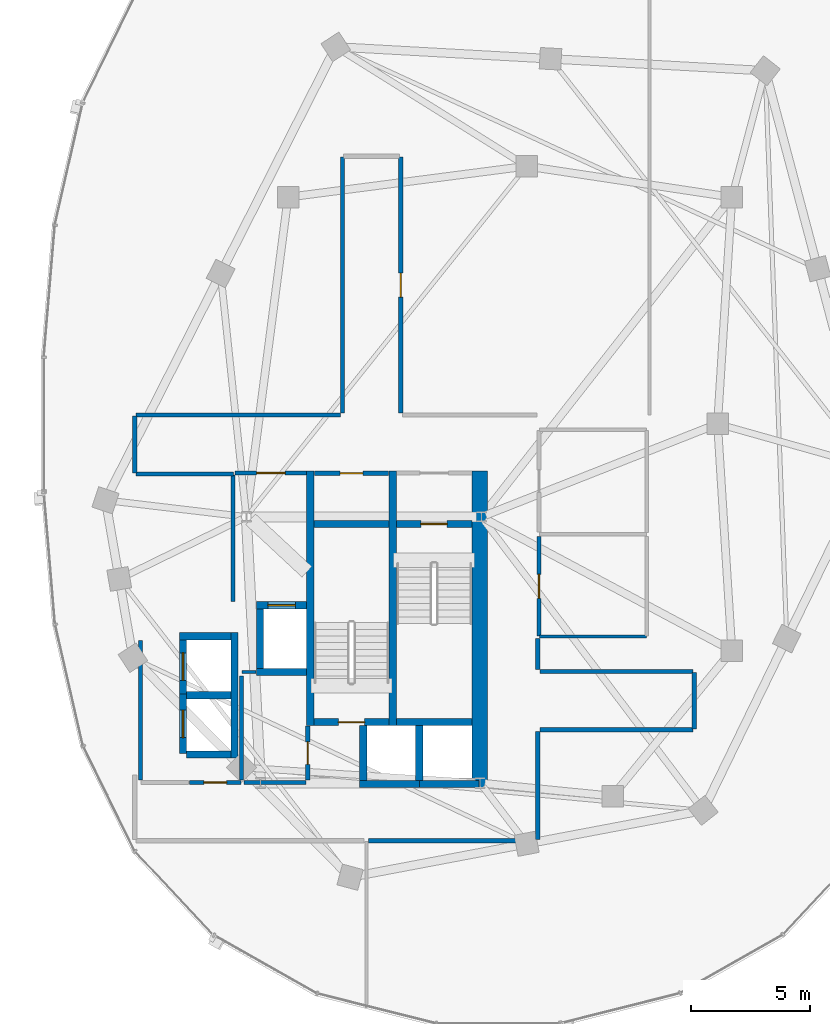
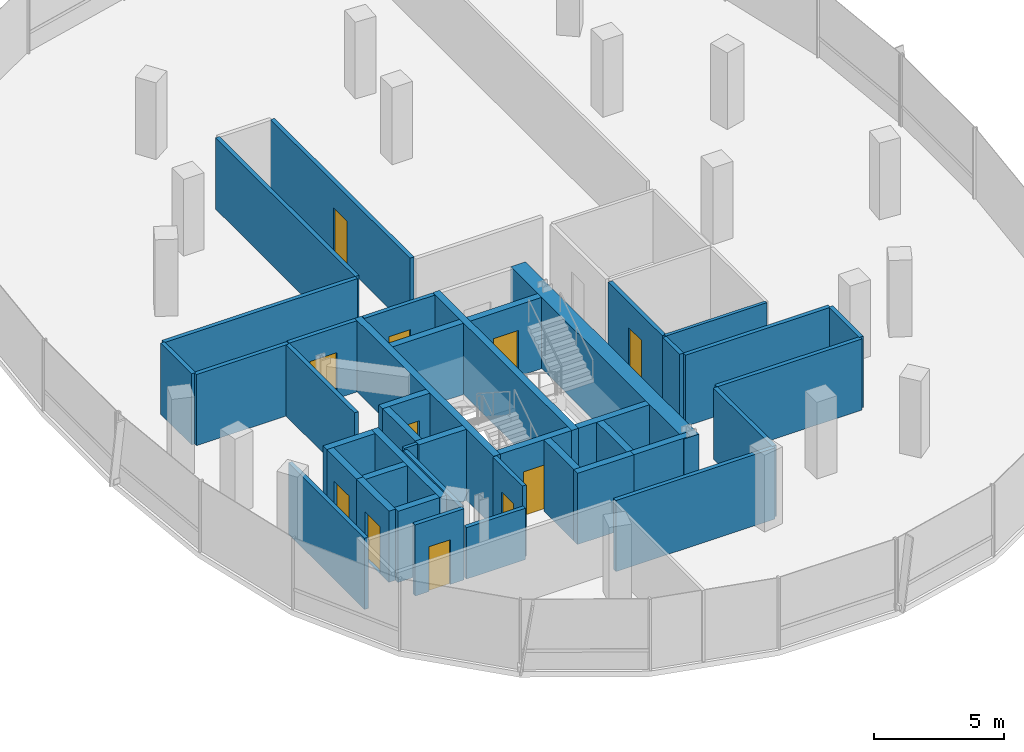
# One storey, part 16 of 24: 42 walls, 11 doors, 11 openings.
"""IFC4 building model written with IfcOpenShell, lengths in metres."""

import ifcopenshell
import ifcopenshell.guid

model = None  # the IFC model being written
_history = None  # IfcOwnerHistory: only IFC2X3 demands one
_inside = {}  # id of a spatial element -> (the spatial element, [elements in it])
_under = {}  # id of a project, library or spatial element -> (it, [spatial elements below it])
_declared = {}  # id of a project -> (the project, [libraries it declares])
_typed = {}  # id of a type object -> (the type object, [elements of that type])
_made_of = {}  # id of a material, layer set ... -> (it, [elements and type objects made of it])


def new_model(schema):
    """Start an empty IFC model of exactly this schema.

    Asked for "IFC4X3", IfcOpenShell would pick the latest addendum, in which some entities
    have other attributes; the version numbers below select the first issue.
    IFC2X3 requires an IfcOwnerHistory on every rooted entity: one is made here for all.
    """
    global model, _history
    if schema == "IFC4X3":
        model = ifcopenshell.file(schema_version=(4, 3, 0, 0))
    else:
        model = ifcopenshell.file(schema=schema)
    _inside.clear()
    _under.clear()
    _declared.clear()
    _typed.clear()
    _made_of.clear()
    _history = None
    if model.schema == "IFC2X3":
        org = make("IfcOrganization", Name="unknown")
        user = make(
            "IfcPersonAndOrganization",
            ThePerson=make("IfcPerson", FamilyName="unknown"),
            TheOrganization=org,
        )
        app = make(
            "IfcApplication",
            ApplicationDeveloper=org,
            Version="unknown",
            ApplicationFullName="unknown",
            ApplicationIdentifier="unknown",
        )
        _history = make(
            "IfcOwnerHistory",
            OwningUser=user,
            OwningApplication=app,
            ChangeAction="ADDED",
            CreationDate=0,
        )
    return model


def make(cls, **values):
    """One entity of the class cls with the attributes given. An attribute that is None is left unset."""
    return model.create_entity(
        cls, **{name: value for name, value in values.items() if value is not None}
    )


def rooted(cls, **values):
    """An entity with a GlobalId (a new one), such as an element, a storey or a relation."""
    return make(cls, GlobalId=ifcopenshell.guid.new(), OwnerHistory=_history, **values)


def si_unit(unit_type, name, prefix=None):
    """IfcSIUnit, for example si_unit("LENGTHUNIT", "METRE", prefix="MILLI")."""
    return make("IfcSIUnit", UnitType=unit_type, Prefix=prefix, Name=name)


def assignment(units):
    """IfcUnitAssignment: the units of a project."""
    return None if units is None else make("IfcUnitAssignment", Units=units)


def point(xyz):
    """IfcCartesianPoint."""
    return None if xyz is None else make("IfcCartesianPoint", Coordinates=xyz)


def direction(xyz):
    """IfcDirection."""
    return None if xyz is None else make("IfcDirection", DirectionRatios=xyz)


def frame(location, z_axis=None, x_axis=None):
    """IfcAxis2Placement3D, a coordinate frame: its origin and axes. An axis left out is left unset."""
    return make(
        "IfcAxis2Placement3D",
        Location=point(location),
        Axis=direction(z_axis),
        RefDirection=direction(x_axis),
    )


def frame_2d(location, x_axis=None):
    """IfcAxis2Placement2D, a coordinate frame in the plane: its origin and x axis."""
    return make(
        "IfcAxis2Placement2D", Location=point(location), RefDirection=direction(x_axis)
    )


def origin():
    """The frame at (0, 0, 0) with its axes left unset."""
    return frame((0.0, 0.0, 0.0))


def place(relative_to, where):
    """IfcLocalPlacement: puts the frame where relative to a parent placement (None: the world)."""
    return make(
        "IfcLocalPlacement", PlacementRelTo=relative_to, RelativePlacement=where
    )


def context(
    kind, dimensions, precision=None, world=None, true_north=None, identifier=None
):
    """IfcGeometricRepresentationContext, for example the 3D "Model" context."""
    return make(
        "IfcGeometricRepresentationContext",
        ContextIdentifier=identifier,
        ContextType=kind,
        CoordinateSpaceDimension=dimensions,
        Precision=precision,
        WorldCoordinateSystem=world,
        TrueNorth=true_north,
    )


def subcontext(parent, identifier, kind, view, scale=None):
    """IfcGeometricRepresentationSubContext, for example "Body" below "Model"."""
    return make(
        "IfcGeometricRepresentationSubContext",
        ContextIdentifier=identifier,
        ContextType=kind,
        ParentContext=parent,
        TargetScale=scale,
        TargetView=view,
    )


def project(units=None, contexts=None):
    """IfcProject with its units and contexts."""
    return rooted(
        "IfcProject",
        Name="project",
        RepresentationContexts=contexts,
        UnitsInContext=assignment(units),
    )


def spatial(cls, under=None, at=None, **own):
    """A site, building, storey or space (cls), placed at a placement, below another one or the project."""
    s = rooted(cls, ObjectPlacement=at, **own)
    if under is not None:
        _under.setdefault(under.id(), (under, []))[1].append(s)
    return s


def profile(cls, at=None, kind="AREA", **sizes):
    """A parametric profile (cls). Its sizes go by their IFC names, for example OverallWidth=200.0."""
    return make(cls, ProfileType=kind, Position=at, **sizes)


def rectangle(**sizes):
    """IfcRectangleProfileDef."""
    return profile("IfcRectangleProfileDef", **sizes)


def extrude(swept, where, along, depth):
    """IfcExtrudedAreaSolid: the profile swept, set in the frame where, extruded along a direction by depth."""
    return make(
        "IfcExtrudedAreaSolid",
        SweptArea=swept,
        Position=where,
        ExtrudedDirection=direction(along),
        Depth=depth,
    )


def shape(context_of_items, identifier, shape_type, items):
    """IfcShapeRepresentation: the items that make up one representation, for example the "Body"."""
    return make(
        "IfcShapeRepresentation",
        ContextOfItems=context_of_items,
        RepresentationIdentifier=identifier,
        RepresentationType=shape_type,
        Items=items,
    )


def material(Name=None, Category=None):
    """IfcMaterial."""
    return make("IfcMaterial", Name=Name, Category=Category)


def layer(
    of_material, thickness, ventilated=None, Name=None, Category=None, Priority=None
):
    """IfcMaterialLayer: one layer of a wall or slab, of a material (None: an air gap)."""
    return make(
        "IfcMaterialLayer",
        Material=of_material,
        LayerThickness=thickness,
        IsVentilated=ventilated,
        Name=Name,
        Category=Category,
        Priority=Priority,
    )


def layer_set(layers, Name=None):
    """IfcMaterialLayerSet."""
    return make("IfcMaterialLayerSet", MaterialLayers=layers, LayerSetName=Name)


def made_of(thing, what):
    """Note that an element or type object is made of a material, layer set ...; save() writes the relation."""
    if what is not None:
        _made_of.setdefault(what.id(), (what, []))[1].append(thing)
    return thing


def type_object(cls, material=None, **own):
    """A type object (cls), such as IfcWallType, which elements share."""
    return made_of(rooted(cls, **own), material)


def element(
    cls,
    number,
    at=None,
    inside=None,
    cuts=None,
    type_object=None,
    material=None,
    context=None,
    identifier="Body",
    shape_type=None,
    held_by="IfcProductDefinitionShape",
    body=None,
    shapes=None,
    **own,
):
    """One element of the class cls, such as IfcWall. Its Tag is "e" and its number.

    at: its placement. inside: the storey or other place that contains it. cuts: it is an
    opening in that element (IfcRelVoidsElement). A single representation is given by context,
    identifier, shape_type and body (its items); several are given by shapes. held_by: the class
    of the entity that holds the representations. save() writes the other relations.
    """
    e = rooted(cls, Tag="e%d" % number, ObjectPlacement=at, **own)
    if body is not None:
        shapes = [shape(context, identifier, shape_type, body)]
    if shapes is not None:
        e.Representation = make(held_by, Representations=shapes)
    if inside is not None:
        _inside.setdefault(inside.id(), (inside, []))[1].append(e)
    if cuts is not None:
        rooted(
            "IfcRelVoidsElement", RelatingBuildingElement=cuts, RelatedOpeningElement=e
        )
    if type_object is not None:
        _typed.setdefault(type_object.id(), (type_object, []))[1].append(e)
    return made_of(e, material)


def fill(opening, filler):
    """IfcRelFillsElement: the door or window that sits in an opening."""
    return rooted(
        "IfcRelFillsElement",
        RelatingOpeningElement=opening,
        RelatedBuildingElement=filler,
    )


def aggregate(whole, parts):
    """IfcRelAggregates: a whole, such as a stair, and the parts it consists of."""
    return rooted("IfcRelAggregates", RelatingObject=whole, RelatedObjects=parts)


def save(model, path):
    """Write the relations noted so far, then the file.

    IfcRelAggregates (storeys below a building ...), IfcRelContainedInSpatialStructure (elements
    in a storey), IfcRelDefinesByType, IfcRelAssociatesMaterial and IfcRelDeclares: one each for
    every whole, place, type object, material and project.
    """
    for whole, parts in _under.values():
        aggregate(whole, parts)
    for where, things in _inside.values():
        rooted(
            "IfcRelContainedInSpatialStructure",
            RelatedElements=things,
            RelatingStructure=where,
        )
    for kind, things in _typed.values():
        rooted("IfcRelDefinesByType", RelatedObjects=things, RelatingType=kind)
    for what, things in _made_of.values():
        rooted("IfcRelAssociatesMaterial", RelatedObjects=things, RelatingMaterial=what)
    for by, libraries in _declared.values():
        rooted("IfcRelDeclares", RelatingContext=by, RelatedDefinitions=libraries)
    model.write(path)


model = new_model("IFC4")

# Units and contexts
model_context = context("Model", 3, precision=1e-05, world=origin(), true_north=direction((0.0, 1.0)))
body_context = subcontext(model_context, "Body", "Model", "MODEL_VIEW")
ifc_project = project(units=[si_unit("LENGTHUNIT", "METRE"), si_unit("AREAUNIT", "SQUARE_METRE"), si_unit("VOLUMEUNIT", "CUBIC_METRE"), si_unit("PLANEANGLEUNIT", "RADIAN"), si_unit("MASSUNIT", "GRAM", prefix="KILO"), si_unit("THERMODYNAMICTEMPERATUREUNIT", "KELVIN"), si_unit("POWERUNIT", "WATT")], contexts=[model_context])

# Site, building, storey
site_placement = place(None, origin())
site = spatial("IfcSite", under=ifc_project, at=site_placement, CompositionType="ELEMENT")
building_placement = place(site_placement, origin())
building = spatial("IfcBuilding", under=site, at=building_placement, Name="Cundina Bronze Exchange", CompositionType="ELEMENT")
storey_placement = place(building_placement, frame((0.0, 0.0, 227.800048828125)))
storey = spatial("IfcBuildingStorey", under=building, at=storey_placement, Name="L60", CompositionType="ELEMENT", Elevation=227.800048828125)

# Wall
ifc_material_1 = material(Name="Gypsum Fireboard Partition EI120")
ifc_layer_1 = layer(ifc_material_1, 0.179931640625, Name="Gypsum Fireboard Partition EI120")
ifc_layer_set_1 = layer_set([ifc_layer_1], Name="Gypsum Fireboard Partition EI120")
wall_type_1 = type_object("IfcWallType", Name="WL-COR-180", PredefinedType="PARTITIONING", material=ifc_layer_set_1)
wall_1_placement = place(storey_placement, frame((20.889892578125, -7.449951171875, 0.0), z_axis=(0.0, 0.0, 1.0), x_axis=(0.0, 1.0, 0.0)))
element("IfcWall", 1, at=wall_1_placement, inside=storey, type_object=wall_type_1, Name="L60 E Firefighting Lobby Side Wall", PredefinedType="PARTITIONING", context=body_context, shape_type="SweptSolid", body=[
    extrude(rectangle(XDim=5.300048828125, YDim=0.179931640625, at=frame_2d((2.64990234375, 0.0))), origin(), (0.0, 0.0, 1.0), 3.33984375),
])

# Wall, opening, door
wall_2_placement = place(storey_placement, frame((20.97998046875, -2.06005859375, 0.0), z_axis=(0.0, 0.0, 1.0), x_axis=(1.0, 0.0, 0.0)))
wall_2 = element("IfcWall", 2, at=wall_2_placement, inside=storey, type_object=wall_type_1, Name="L60 E Firefighting Lobby Exit Wall", PredefinedType="PARTITIONING", context=body_context, shape_type="SweptSolid", body=[
    extrude(rectangle(XDim=3.0, YDim=0.179931640625, at=frame_2d((1.5, 0.0))), origin(), (0.0, 0.0, 1.0), 3.33984375),
])
opening_1_placement = place(wall_2_placement, frame((0.89990234375, 0.0, 0.0)))
opening_1 = element("IfcOpeningElement", 3, at=opening_1_placement, cuts=wall_2, Name="Opening DF-01", PredefinedType="OPENING", context=body_context, shape_type="SweptSolid", body=[
    extrude(rectangle(XDim=1.199951171875, YDim=2.14990234375, at=frame_2d((0.60009765625, 1.074951171875))), frame((0.0, 0.099853515625, 0.0), z_axis=(0.0, -1.0, 0.0), x_axis=(1.0, 0.0, 0.0)), (0.0, 0.0, 1.0), 0.199951171875),
])
ifc_material_2 = material(Name="Steel ASTM A36 Painted", Category="steel")
door_type_1 = type_object("IfcDoorType", Name="DR-FFL-1200", OperationType="NOTDEFINED", PredefinedType="DOOR", material=ifc_material_2)
door_1_placement = place(opening_1_placement, origin())
door_1 = element("IfcDoor", 4, at=door_1_placement, inside=storey, type_object=door_type_1, Name="L60 E Firefighting Lobby Door", OperationType="SINGLE_SWING_LEFT", OverallHeight=2.14990234375, OverallWidth=1.199951171875, PredefinedType="DOOR", context=body_context, shape_type="SweptSolid", body=[
    extrude(rectangle(XDim=1.199951171875, YDim=2.14990234375, at=frame_2d((0.60009765625, 1.074951171875))), frame((0.0, 0.02490234375, 0.0), z_axis=(0.0, -1.0, 0.0), x_axis=(1.0, 0.0, 0.0)), (0.0, 0.0, 1.0), 0.050048828125),
])
fill(opening_1, door_1)

# Wall
wall_3_placement = place(storey_placement, frame((17.02001953125, -14.929931640625, 0.0), z_axis=(0.0, 0.0, 1.0), x_axis=(0.0, 1.0, 0.0)))
element("IfcWall", 5, at=wall_3_placement, inside=storey, type_object=wall_type_1, Name="L60 Interior Partition 017", PredefinedType="PARTITIONING", context=body_context, shape_type="SweptSolid", body=[
    extrude(rectangle(XDim=5.85986328125, YDim=0.179931640625, at=frame_2d((2.929931640625, 0.0))), origin(), (0.0, 0.0, 1.0), 3.33984375),
])

# Wall, opening, door
wall_4_placement = place(storey_placement, frame((21.22998046875, -15.030029296875, 0.0), z_axis=(0.0, 0.0, 1.0), x_axis=(-1.0, 0.0, 0.0)))
wall_4 = element("IfcWall", 6, at=wall_4_placement, inside=storey, type_object=wall_type_1, Name="L60 Interior Partition 019", PredefinedType="PARTITIONING", context=body_context, shape_type="SweptSolid", body=[
    extrude(rectangle(XDim=2.159912109375, YDim=0.179931640625, at=frame_2d((1.080078125, 0.0))), origin(), (0.0, 0.0, 1.0), 3.33984375),
])
opening_2_placement = place(wall_4_placement, frame((0.60498046875, 0.0, 0.0)))
opening_2 = element("IfcOpeningElement", 7, at=opening_2_placement, cuts=wall_4, Name="Opening DW-01", PredefinedType="OPENING", context=body_context, shape_type="SweptSolid", body=[
    extrude(rectangle(XDim=0.949951171875, YDim=2.10009765625, at=frame_2d((0.47509765625, 1.050048828125))), frame((0.0, 0.099853515625, 0.0), z_axis=(0.0, -1.0, 0.0), x_axis=(1.0, 0.0, 0.0)), (0.0, 0.0, 1.0), 0.199951171875),
])
ifc_material_3 = material(Name="Solid Andean Oak Timber Grade A", Category="wood")
door_type_2 = type_object("IfcDoorType", Name="DR-WC-950", OperationType="NOTDEFINED", PredefinedType="DOOR", material=ifc_material_3)
door_2_placement = place(opening_2_placement, origin())
door_2 = element("IfcDoor", 8, at=door_2_placement, inside=storey, type_object=door_type_2, Name="L60 Interior Door 019", OperationType="SINGLE_SWING_LEFT", OverallHeight=2.10009765625, OverallWidth=0.949951171875, PredefinedType="DOOR", context=body_context, shape_type="SweptSolid", body=[
    extrude(rectangle(XDim=0.949951171875, YDim=2.10009765625, at=frame_2d((0.47509765625, 1.050048828125))), frame((0.0, 0.02490234375, 0.0), z_axis=(0.0, -1.0, 0.0), x_axis=(1.0, 0.0, 0.0)), (0.0, 0.0, 1.0), 0.050048828125),
])
fill(opening_2, door_2)

# Walls
wall_5_placement = place(storey_placement, frame((21.25, -14.929931640625, 0.0), z_axis=(0.0, 0.0, 1.0), x_axis=(0.0, 1.0, 0.0)))
element("IfcWall", 9, at=wall_5_placement, inside=storey, type_object=wall_type_1, Name="L60 Interior Partition 021", PredefinedType="PARTITIONING", context=body_context, shape_type="SweptSolid", body=[
    extrude(rectangle(XDim=4.35986328125, YDim=0.179931640625, at=frame_2d((2.179931640625, 0.0))), origin(), (0.0, 0.0, 1.0), 3.33984375),
])
wall_6_placement = place(storey_placement, frame((21.35009765625, -15.030029296875, 0.0), z_axis=(0.0, 0.0, 1.0), x_axis=(1.0, 0.0, 0.0)))
element("IfcWall", 10, at=wall_6_placement, inside=storey, type_object=wall_type_1, Name="L60 Interior Partition 022", PredefinedType="PARTITIONING", context=body_context, shape_type="SweptSolid", body=[
    extrude(rectangle(XDim=2.60986328125, YDim=0.179931640625, at=frame_2d((1.304931640625, 0.0))), origin(), (0.0, 0.0, 1.0), 2.412841796875),
])

# Wall, opening, door
wall_7_placement = place(storey_placement, frame((24.300048828125, -2.070068359375, 0.0), z_axis=(0.0, 0.0, 1.0), x_axis=(1.0, 0.0, 0.0)))
wall_7 = element("IfcWall", 11, at=wall_7_placement, inside=storey, type_object=wall_type_1, Name="L60 Interior Partition 023", PredefinedType="PARTITIONING", context=body_context, shape_type="SweptSolid", body=[
    extrude(rectangle(XDim=3.119873046875, YDim=0.179931640625, at=frame_2d((1.56005859375, 0.0))), origin(), (0.0, 0.0, 1.0), 3.33984375),
])
opening_3_placement = place(wall_7_placement, frame((1.0849609375, 0.0, 0.0)))
opening_3 = element("IfcOpeningElement", 12, at=opening_3_placement, cuts=wall_7, Name="Opening DW-01", PredefinedType="OPENING", context=body_context, shape_type="SweptSolid", body=[
    extrude(rectangle(XDim=0.949951171875, YDim=2.10009765625, at=frame_2d((0.47509765625, 1.050048828125))), frame((0.0, 0.099853515625, 0.0), z_axis=(0.0, -1.0, 0.0), x_axis=(1.0, 0.0, 0.0)), (0.0, 0.0, 1.0), 0.199951171875),
])
door_3_placement = place(opening_3_placement, origin())
door_3 = element("IfcDoor", 13, at=door_3_placement, inside=storey, type_object=door_type_2, Name="L60 Interior Door 023", OperationType="SINGLE_SWING_LEFT", OverallHeight=2.10009765625, OverallWidth=0.949951171875, PredefinedType="DOOR", context=body_context, shape_type="SweptSolid", body=[
    extrude(rectangle(XDim=0.949951171875, YDim=2.10009765625, at=frame_2d((0.47509765625, 1.050048828125))), frame((0.0, 0.02490234375, 0.0), z_axis=(0.0, -1.0, 0.0), x_axis=(1.0, 0.0, 0.0)), (0.0, 0.0, 1.0), 0.050048828125),
])
fill(opening_3, door_3)

wall_8_placement = place(storey_placement, frame((24.02001953125, -14.929931640625, 0.0), z_axis=(0.0, 0.0, 1.0), x_axis=(0.0, 1.0, 0.0)))
wall_8 = element("IfcWall", 14, at=wall_8_placement, inside=storey, type_object=wall_type_1, Name="L60 Interior Partition 024", PredefinedType="PARTITIONING", context=body_context, shape_type="SweptSolid", body=[
    extrude(rectangle(XDim=2.260009765625, YDim=0.179931640625, at=frame_2d((1.1298828125, 0.0))), origin(), (0.0, 0.0, 1.0), 3.33984375),
])
opening_4_placement = place(wall_8_placement, frame((0.655029296875, 0.0, 0.0)))
opening_4 = element("IfcOpeningElement", 15, at=opening_4_placement, cuts=wall_8, Name="Opening DW-01", PredefinedType="OPENING", context=body_context, shape_type="SweptSolid", body=[
    extrude(rectangle(XDim=0.949951171875, YDim=2.10009765625, at=frame_2d((0.47509765625, 1.050048828125))), frame((0.0, 0.099853515625, 0.0), z_axis=(0.0, -1.0, 0.0), x_axis=(1.0, 0.0, 0.0)), (0.0, 0.0, 1.0), 0.199951171875),
])
door_4_placement = place(opening_4_placement, origin())
door_4 = element("IfcDoor", 16, at=door_4_placement, inside=storey, type_object=door_type_2, Name="L60 Interior Door 024", OperationType="SINGLE_SWING_LEFT", OverallHeight=2.10009765625, OverallWidth=0.949951171875, PredefinedType="DOOR", context=body_context, shape_type="SweptSolid", body=[
    extrude(rectangle(XDim=0.949951171875, YDim=2.10009765625, at=frame_2d((0.47509765625, 1.050048828125))), frame((0.0, 0.02490234375, 0.0), z_axis=(0.0, -1.0, 0.0), x_axis=(1.0, 0.0, 0.0)), (0.0, 0.0, 1.0), 0.050048828125),
])
fill(opening_4, door_4)

wall_9_placement = place(storey_placement, frame((33.719970703125, -8.889892578125, 0.0), z_axis=(0.0, 0.0, 1.0), x_axis=(0.0, 1.0, 0.0)))
wall_9 = element("IfcWall", 17, at=wall_9_placement, inside=storey, type_object=wall_type_1, Name="L60 Interior Partition 031", PredefinedType="PARTITIONING", context=body_context, shape_type="SweptSolid", body=[
    extrude(rectangle(XDim=4.159912109375, YDim=0.179931640625, at=frame_2d((2.080078125, 0.0))), origin(), (0.0, 0.0, 1.0), 3.33984375),
])
opening_5_placement = place(wall_9_placement, frame((1.580078125, 0.0, 0.0)))
opening_5 = element("IfcOpeningElement", 18, at=opening_5_placement, cuts=wall_9, Name="Opening DO-01", PredefinedType="OPENING", context=body_context, shape_type="SweptSolid", body=[
    extrude(rectangle(XDim=1.0, YDim=2.14990234375, at=frame_2d((0.5, 1.074951171875))), frame((0.0, 0.099853515625, 0.0), z_axis=(0.0, -1.0, 0.0), x_axis=(1.0, 0.0, 0.0)), (0.0, 0.0, 1.0), 0.199951171875),
])
door_type_3 = type_object("IfcDoorType", Name="DR-OFF-1000", OperationType="NOTDEFINED", PredefinedType="DOOR", material=ifc_material_3)
door_5_placement = place(opening_5_placement, origin())
door_5 = element("IfcDoor", 19, at=door_5_placement, inside=storey, type_object=door_type_3, Name="L60 Interior Door 031", OperationType="SINGLE_SWING_LEFT", OverallHeight=2.14990234375, OverallWidth=1.0, PredefinedType="DOOR", context=body_context, shape_type="SweptSolid", body=[
    extrude(rectangle(XDim=1.0, YDim=2.14990234375, at=frame_2d((0.5, 1.074951171875))), frame((0.0, 0.02490234375, 0.0), z_axis=(0.0, -1.0, 0.0), x_axis=(1.0, 0.0, 0.0)), (0.0, 0.0, 1.0), 0.050048828125),
])
fill(opening_5, door_5)

wall_10_placement = place(storey_placement, frame((27.919921875, 0.449951171875, 0.0), z_axis=(0.0, 0.0, 1.0), x_axis=(0.0, 1.0, 0.0)))
wall_10 = element("IfcWall", 20, at=wall_10_placement, inside=storey, type_object=wall_type_1, Name="L60 Interior Partition 034", PredefinedType="PARTITIONING", context=body_context, shape_type="SweptSolid", body=[
    extrude(rectangle(XDim=10.728515625, YDim=0.179931640625, at=frame_2d((5.3642578125, 0.0))), origin(), (0.0, 0.0, 1.0), 3.33984375),
])
opening_6_placement = place(wall_10_placement, frame((4.8642578125, 0.0, 0.0)))
opening_6 = element("IfcOpeningElement", 21, at=opening_6_placement, cuts=wall_10, Name="Opening DO-01", PredefinedType="OPENING", context=body_context, shape_type="SweptSolid", body=[
    extrude(rectangle(XDim=1.0, YDim=2.14990234375, at=frame_2d((0.5, 1.074951171875))), frame((0.0, 0.099853515625, 0.0), z_axis=(0.0, -1.0, 0.0), x_axis=(1.0, 0.0, 0.0)), (0.0, 0.0, 1.0), 0.199951171875),
])
door_6_placement = place(opening_6_placement, origin())
door_6 = element("IfcDoor", 22, at=door_6_placement, inside=storey, type_object=door_type_3, Name="L60 Interior Door 034", OperationType="SINGLE_SWING_LEFT", OverallHeight=2.14990234375, OverallWidth=1.0, PredefinedType="DOOR", context=body_context, shape_type="SweptSolid", body=[
    extrude(rectangle(XDim=1.0, YDim=2.14990234375, at=frame_2d((0.5, 1.074951171875))), frame((0.0, 0.02490234375, 0.0), z_axis=(0.0, -1.0, 0.0), x_axis=(1.0, 0.0, 0.0)), (0.0, 0.0, 1.0), 0.050048828125),
])
fill(opening_6, door_6)

# Walls
wall_11_placement = place(storey_placement, frame((25.47998046875, 11.178466796875, 0.0), z_axis=(0.0, 0.0, 1.0), x_axis=(0.0, -1.0, 0.0)))
element("IfcWall", 23, at=wall_11_placement, inside=storey, type_object=wall_type_1, Name="L60 Interior Partition 035", PredefinedType="PARTITIONING", context=body_context, shape_type="SweptSolid", body=[
    extrude(rectangle(XDim=10.728515625, YDim=0.179931640625, at=frame_2d((5.3642578125, 0.0))), origin(), (0.0, 0.0, 1.0), 3.33984375),
])
wall_12_placement = place(storey_placement, frame((25.39990234375, 0.3701171875, 0.0), z_axis=(0.0, 0.0, 1.0), x_axis=(-1.0, 0.0, 0.0)))
element("IfcWall", 24, at=wall_12_placement, inside=storey, type_object=wall_type_1, Name="L60 Interior Partition 037", PredefinedType="PARTITIONING", context=body_context, shape_type="SweptSolid", body=[
    extrude(rectangle(XDim=8.578369140625, YDim=0.179931640625, at=frame_2d((4.2890625, 0.0))), origin(), (0.0, 0.0, 1.0), 3.33984375),
])
wall_13_placement = place(storey_placement, frame((26.570068359375, -17.469970703125, 0.0), z_axis=(0.0, 0.0, 1.0), x_axis=(1.0, 0.0, 0.0)))
element("IfcWall", 25, at=wall_13_placement, inside=storey, type_object=wall_type_1, Name="L60 Interior Partition 038", PredefinedType="PARTITIONING", context=body_context, shape_type="SweptSolid", body=[
    extrude(rectangle(XDim=7.058349609375, YDim=0.179931640625, at=frame_2d((3.529296875, 0.0))), origin(), (0.0, 0.0, 1.0), 3.33984375),
])
for number, where, z_axis, x_axis, name in (
    (26, (33.75, -12.820068359375, 0.0), (0.0, 0.0, 1.0), (1.0, 0.0, 0.0), "L60 Interior Partition 039"),
    (27, (40.178466796875, -10.3798828125, 0.0), (0.0, 0.0, 1.0), (-1.0, 0.0, 0.0), "L60 Interior Partition 040"),
):
    element("IfcWall", number, at=place(storey_placement, frame(where, z_axis=z_axis, x_axis=x_axis)), inside=storey, type_object=wall_type_1, Name=name, PredefinedType="PARTITIONING", context=body_context, shape_type="SweptSolid", body=[
        extrude(rectangle(XDim=6.428466796875, YDim=0.179931640625, at=frame_2d((3.21435546875, 0.0))), origin(), (0.0, 0.0, 1.0), 3.33984375),
    ])
wall_14_placement = place(storey_placement, frame((33.669921875, -17.428466796875, 0.0), z_axis=(0.0, 0.0, 1.0), x_axis=(0.0, 1.0, 0.0)))
element("IfcWall", 28, at=wall_14_placement, inside=storey, type_object=wall_type_1, Name="L60 Interior Partition 042", PredefinedType="PARTITIONING", context=body_context, shape_type="SweptSolid", body=[
    extrude(rectangle(XDim=4.528564453125, YDim=0.179931640625, at=frame_2d((2.26416015625, 0.0))), origin(), (0.0, 0.0, 1.0), 3.33984375),
])
wall_15_placement = place(storey_placement, frame((16.821533203125, -2.10009765625, 0.0), z_axis=(0.0, 0.0, 1.0), x_axis=(1.0, 0.0, 0.0)))
element("IfcWall", 29, at=wall_15_placement, inside=storey, type_object=wall_type_1, Name="L60 Interior Partition 043", PredefinedType="PARTITIONING", context=body_context, shape_type="SweptSolid", body=[
    extrude(rectangle(XDim=4.098388671875, YDim=0.179931640625, at=frame_2d((2.04931640625, 0.0))), origin(), (0.0, 0.0, 1.0), 3.33984375),
])
wall_16_placement = place(storey_placement, frame((16.780029296875, 0.32861328125, 0.0), z_axis=(0.0, 0.0, 1.0), x_axis=(0.0, -1.0, 0.0)))
element("IfcWall", 30, at=wall_16_placement, inside=storey, type_object=wall_type_1, Name="L60 Interior Partition 045", PredefinedType="PARTITIONING", context=body_context, shape_type="SweptSolid", body=[
    extrude(rectangle(XDim=2.38720703125, YDim=0.179931640625, at=frame_2d((1.193603515625, 0.0))), origin(), (0.0, 0.0, 1.0), 3.33984375),
])
wall_17_placement = place(storey_placement, frame((40.219970703125, -12.778564453125, 0.0), z_axis=(0.0, 0.0, 1.0), x_axis=(0.0, 1.0, 0.0)))
element("IfcWall", 31, at=wall_17_placement, inside=storey, type_object=wall_type_1, Name="L60 Interior Partition 047", PredefinedType="PARTITIONING", context=body_context, shape_type="SweptSolid", body=[
    extrude(rectangle(XDim=2.357177734375, YDim=0.179931640625, at=frame_2d((1.1787109375, 0.0))), origin(), (0.0, 0.0, 1.0), 3.33984375),
])
wall_18_placement = place(storey_placement, frame((33.669921875, -10.300048828125, 0.0), z_axis=(0.0, 0.0, 1.0), x_axis=(0.0, 1.0, 0.0)))
element("IfcWall", 32, at=wall_18_placement, inside=storey, type_object=wall_type_1, Name="L60 Interior Partition 048", PredefinedType="PARTITIONING", context=body_context, shape_type="SweptSolid", body=[
    extrude(rectangle(XDim=1.298583984375, YDim=0.179931640625, at=frame_2d((0.6494140625, 0.0))), origin(), (0.0, 0.0, 1.0), 3.33984375),
])
ifc_material_4 = material(Name="Concrete C50/60", Category="concrete")
ifc_layer_2 = layer(ifc_material_4, 0.64990234375, Name="Concrete C50/60", Category="concrete")
ifc_layer_set_2 = layer_set([ifc_layer_2], Name="Concrete C50/60")
wall_type_2 = type_object("IfcWallType", Name="WL-CORE-650", PredefinedType="SHEAR", material=ifc_layer_set_2)
wall_19_placement = place(storey_placement, frame((31.22509765625, -15.300048828125, 0.0), z_axis=(0.0, 0.0, 1.0), x_axis=(0.0, 1.0, 0.0)))
element("IfcWall", 33, at=wall_19_placement, inside=storey, type_object=wall_type_2, Name="L60 E Primary Core Shear Spine Wall", PredefinedType="SHEAR", context=body_context, shape_type="SweptSolid", body=[
    extrude(rectangle(XDim=13.330078125, YDim=0.64990234375, at=frame_2d((6.6650390625, 0.0))), origin(), (0.0, 0.0, 1.0), 3.33984375),
])
ifc_layer_3 = layer(ifc_material_4, 0.300048828125, Name="Concrete C50/60", Category="concrete")
ifc_layer_set_3 = layer_set([ifc_layer_3], Name="Concrete C50/60")
wall_type_3 = type_object("IfcWallType", Name="WL-SHFT-300", PredefinedType="SHEAR", material=ifc_layer_set_3)
for number, where, z_axis, x_axis, name in (
    (34, (27.590087890625, -12.64990234375, 0.0), (0.0, 0.0, 1.0), (0.0, 1.0, 0.0), "L60 E Stair Shaft Dividing Shear Wall"),
    (35, (24.1298828125, -12.64990234375, 0.0), (0.0, 0.0, 1.0), (0.0, 1.0, 0.0), "L60 E Stair 2 East Shear Wall"),
):
    element("IfcWall", number, at=place(storey_placement, frame(where, z_axis=z_axis, x_axis=x_axis)), inside=storey, type_object=wall_type_3, Name=name, PredefinedType="SHEAR", context=body_context, shape_type="SweptSolid", body=[
        extrude(rectangle(XDim=10.679931640625, YDim=0.300048828125, at=frame_2d((5.33984375, 0.0))), origin(), (0.0, 0.0, 1.0), 3.33984375),
    ])

# Wall, opening, door
wall_20_placement = place(storey_placement, frame((27.739990234375, -4.199951171875, 0.0), z_axis=(0.0, 0.0, 1.0), x_axis=(1.0, 0.0, 0.0)))
wall_20 = element("IfcWall", 36, at=wall_20_placement, inside=storey, type_object=wall_type_3, Name="L60 Stair E1 Landing Wall", PredefinedType="SHEAR", context=body_context, shape_type="SweptSolid", body=[
    extrude(rectangle(XDim=3.159912109375, YDim=0.300048828125, at=frame_2d((1.580078125, 0.0))), origin(), (0.0, 0.0, 1.0), 3.33984375),
])
opening_7_placement = place(wall_20_placement, frame((1.030029296875, 0.0, 0.0)))
opening_7 = element("IfcOpeningElement", 37, at=opening_7_placement, cuts=wall_20, Name="Opening DS-01", PredefinedType="OPENING", context=body_context, shape_type="SweptSolid", body=[
    extrude(rectangle(XDim=1.10009765625, YDim=2.14990234375, at=frame_2d((0.550048828125, 1.074951171875))), frame((0.0, 0.159912109375, 0.0), z_axis=(0.0, -1.0, 0.0), x_axis=(1.0, 0.0, 0.0)), (0.0, 0.0, 1.0), 0.320068359375),
])
door_type_4 = type_object("IfcDoorType", Name="DR-STR-1100", OperationType="NOTDEFINED", PredefinedType="DOOR", material=ifc_material_2)
door_7_placement = place(opening_7_placement, origin())
door_7 = element("IfcDoor", 38, at=door_7_placement, inside=storey, type_object=door_type_4, Name="L60 Smokeproof Stair E1 Door", OperationType="SINGLE_SWING_LEFT", OverallHeight=2.14990234375, OverallWidth=1.10009765625, PredefinedType="DOOR", context=body_context, shape_type="SweptSolid", body=[
    extrude(rectangle(XDim=1.10009765625, YDim=2.14990234375, at=frame_2d((0.550048828125, 1.074951171875))), frame((0.0, 0.02490234375, 0.0), z_axis=(0.0, -1.0, 0.0), x_axis=(1.0, 0.0, 0.0)), (0.0, 0.0, 1.0), 0.050048828125),
])
fill(opening_7, door_7)

# Wall
wall_21_placement = place(storey_placement, frame((27.739990234375, -12.5, 0.0), z_axis=(0.0, 0.0, 1.0), x_axis=(1.0, 0.0, 0.0)))
element("IfcWall", 39, at=wall_21_placement, inside=storey, type_object=wall_type_3, Name="L60 Stair E1 Far Shaft Wall", PredefinedType="SHEAR", context=body_context, shape_type="SweptSolid", body=[
    extrude(rectangle(XDim=3.159912109375, YDim=0.300048828125, at=frame_2d((1.580078125, 0.0))), origin(), (0.0, 0.0, 1.0), 3.33984375),
])

# Wall, opening, door
wall_22_placement = place(storey_placement, frame((24.280029296875, -12.5, 0.0), z_axis=(0.0, 0.0, 1.0), x_axis=(1.0, 0.0, 0.0)))
wall_22 = element("IfcWall", 40, at=wall_22_placement, inside=storey, type_object=wall_type_3, Name="L60 Stair E2 Landing Wall", PredefinedType="SHEAR", context=body_context, shape_type="SweptSolid", body=[
    extrude(rectangle(XDim=3.159912109375, YDim=0.300048828125, at=frame_2d((1.580078125, 0.0))), origin(), (0.0, 0.0, 1.0), 3.33984375),
])
opening_8_placement = place(wall_22_placement, frame((1.030029296875, 0.0, 0.0)))
opening_8 = element("IfcOpeningElement", 41, at=opening_8_placement, cuts=wall_22, Name="Opening DS-01", PredefinedType="OPENING", context=body_context, shape_type="SweptSolid", body=[
    extrude(rectangle(XDim=1.10009765625, YDim=2.14990234375, at=frame_2d((0.550048828125, 1.074951171875))), frame((0.0, 0.159912109375, 0.0), z_axis=(0.0, -1.0, 0.0), x_axis=(1.0, 0.0, 0.0)), (0.0, 0.0, 1.0), 0.320068359375),
])
door_8_placement = place(opening_8_placement, origin())
door_8 = element("IfcDoor", 42, at=door_8_placement, inside=storey, type_object=door_type_4, Name="L60 Smokeproof Stair E2 Door", OperationType="SINGLE_SWING_RIGHT", OverallHeight=2.14990234375, OverallWidth=1.10009765625, PredefinedType="DOOR", context=body_context, shape_type="SweptSolid", body=[
    extrude(rectangle(XDim=1.10009765625, YDim=2.14990234375, at=frame_2d((0.550048828125, 1.074951171875))), frame((0.0, 0.02490234375, 0.0), z_axis=(0.0, -1.0, 0.0), x_axis=(1.0, 0.0, 0.0)), (0.0, 0.0, 1.0), 0.050048828125),
])
fill(opening_8, door_8)

# Wall
wall_23_placement = place(storey_placement, frame((24.280029296875, -4.199951171875, 0.0), z_axis=(0.0, 0.0, 1.0), x_axis=(1.0, 0.0, 0.0)))
element("IfcWall", 43, at=wall_23_placement, inside=storey, type_object=wall_type_3, Name="L60 Stair E2 Far Shaft Wall", PredefinedType="SHEAR", context=body_context, shape_type="SweptSolid", body=[
    extrude(rectangle(XDim=3.159912109375, YDim=0.300048828125, at=frame_2d((1.580078125, 0.0))), origin(), (0.0, 0.0, 1.0), 3.33984375),
])

# Wall, opening, door
wall_24_placement = place(storey_placement, frame((21.8798828125, -7.60009765625, 0.0), z_axis=(0.0, 0.0, 1.0), x_axis=(1.0, 0.0, 0.0)))
wall_24 = element("IfcWall", 44, at=wall_24_placement, inside=storey, type_object=wall_type_3, Name="L60 FFL-E Hoistway Front Wall", PredefinedType="SHEAR", context=body_context, shape_type="SweptSolid", body=[
    extrude(rectangle(XDim=2.10009765625, YDim=0.300048828125, at=frame_2d((1.050048828125, 0.0))), origin(), (0.0, 0.0, 1.0), 3.33984375),
])
opening_9_placement = place(wall_24_placement, frame((0.47509765625, 0.0, 0.0)))
opening_9 = element("IfcOpeningElement", 45, at=opening_9_placement, cuts=wall_24, Name="Opening LD-01", PredefinedType="OPENING", context=body_context, shape_type="SweptSolid", body=[
    extrude(rectangle(XDim=1.14990234375, YDim=2.199951171875, at=frame_2d((0.574951171875, 1.10009765625))), frame((0.0, 0.159912109375, 0.0), z_axis=(0.0, -1.0, 0.0), x_axis=(1.0, 0.0, 0.0)), (0.0, 0.0, 1.0), 0.320068359375),
])
door_type_5 = type_object("IfcDoorType", Name="DR-LND-1150", OperationType="NOTDEFINED", PredefinedType="TRAPDOOR", material=ifc_material_2)
door_9_placement = place(opening_9_placement, origin())
door_9 = element("IfcDoor", 46, at=door_9_placement, inside=storey, type_object=door_type_5, Name="L60 FFL-E Sliding Landing Door", OperationType="SLIDING_TO_LEFT", OverallHeight=2.199951171875, OverallWidth=1.14990234375, PredefinedType="TRAPDOOR", context=body_context, shape_type="SweptSolid", body=[
    extrude(rectangle(XDim=1.14990234375, YDim=2.199951171875, at=frame_2d((0.574951171875, 1.10009765625))), frame((0.0, 0.02490234375, 0.0), z_axis=(0.0, -1.0, 0.0), x_axis=(1.0, 0.0, 0.0)), (0.0, 0.0, 1.0), 0.050048828125),
])
fill(opening_9, door_9)

# Walls
wall_25_placement = place(storey_placement, frame((21.8798828125, -10.39990234375, 0.0), z_axis=(0.0, 0.0, 1.0), x_axis=(1.0, 0.0, 0.0)))
element("IfcWall", 47, at=wall_25_placement, inside=storey, type_object=wall_type_3, Name="L60 FFL-E Hoistway Back Wall", PredefinedType="SHEAR", context=body_context, shape_type="SweptSolid", body=[
    extrude(rectangle(XDim=2.10009765625, YDim=0.300048828125, at=frame_2d((1.050048828125, 0.0))), origin(), (0.0, 0.0, 1.0), 3.33984375),
])
for number, where, z_axis, x_axis, name in (
    (48, (22.030029296875, -10.25, 0.0), (0.0, 0.0, 1.0), (0.0, 1.0, 0.0), "L60 FFL-E Hoistway Side Wall"),
    (49, (28.699951171875, -15.10009765625, 0.0), (0.0, 0.0, 1.0), (1.0, 0.0, 0.0), "L60 PH-E1 Hoistway Front Wall"),
):
    element("IfcWall", number, at=place(storey_placement, frame(where, z_axis=z_axis, x_axis=x_axis)), inside=storey, type_object=wall_type_3, Name=name, PredefinedType="SHEAR", context=body_context, shape_type="SweptSolid", body=[
        extrude(rectangle(XDim=2.5, YDim=0.300048828125, at=frame_2d((1.25, 0.0))), origin(), (0.0, 0.0, 1.0), 3.33984375),
    ])
wall_26_placement = place(storey_placement, frame((28.699951171875, -14.949951171875, 0.0), z_axis=(0.0, 0.0, 1.0), x_axis=(0.0, 1.0, 0.0)))
element("IfcWall", 50, at=wall_26_placement, inside=storey, type_object=wall_type_3, Name="L60 PH-E1 Hoistway Divider Wall", PredefinedType="SHEAR", context=body_context, shape_type="SweptSolid", body=[
    extrude(rectangle(XDim=2.300048828125, YDim=0.300048828125, at=frame_2d((1.14990234375, 0.0))), origin(), (0.0, 0.0, 1.0), 3.33984375),
])
wall_27_placement = place(storey_placement, frame((26.199951171875, -15.10009765625, 0.0), z_axis=(0.0, 0.0, 1.0), x_axis=(1.0, 0.0, 0.0)))
element("IfcWall", 51, at=wall_27_placement, inside=storey, type_object=wall_type_3, Name="L60 PH-E2 Hoistway Front Wall", PredefinedType="SHEAR", context=body_context, shape_type="SweptSolid", body=[
    extrude(rectangle(XDim=2.5, YDim=0.300048828125, at=frame_2d((1.25, 0.0))), origin(), (0.0, 0.0, 1.0), 3.33984375),
])
wall_28_placement = place(storey_placement, frame((26.35009765625, -14.949951171875, 0.0), z_axis=(0.0, 0.0, 1.0), x_axis=(0.0, 1.0, 0.0)))
element("IfcWall", 52, at=wall_28_placement, inside=storey, type_object=wall_type_3, Name="L60 PH-E2 Hoistway Divider Wall", PredefinedType="SHEAR", context=body_context, shape_type="SweptSolid", body=[
    extrude(rectangle(XDim=2.300048828125, YDim=0.300048828125, at=frame_2d((1.14990234375, 0.0))), origin(), (0.0, 0.0, 1.0), 3.33984375),
])
wall_29_placement = place(storey_placement, frame((20.949951171875, -14.0, 0.0), z_axis=(0.0, 0.0, 1.0), x_axis=(0.0, 1.0, 0.0)))
element("IfcWall", 53, at=wall_29_placement, inside=storey, type_object=wall_type_3, Name="L60 E Passenger Bank Hoistway Back Wall", PredefinedType="SHEAR", context=body_context, shape_type="SweptSolid", body=[
    extrude(rectangle(XDim=5.25, YDim=0.300048828125, at=frame_2d((2.625, 0.0))), origin(), (0.0, 0.0, 1.0), 3.33984375),
])
wall_30_placement = place(storey_placement, frame((18.949951171875, -13.85009765625, 0.0), z_axis=(0.0, 0.0, 1.0), x_axis=(1.0, 0.0, 0.0)))
element("IfcWall", 54, at=wall_30_placement, inside=storey, type_object=wall_type_3, Name="L60 E Passenger Bank South Cap Wall", PredefinedType="SHEAR", context=body_context, shape_type="SweptSolid", body=[
    extrude(rectangle(XDim=1.85009765625, YDim=0.300048828125, at=frame_2d((0.925048828125, 0.0))), origin(), (0.0, 0.0, 1.0), 3.33984375),
])
wall_31_placement = place(storey_placement, frame((18.64990234375, -8.89990234375, 0.0), z_axis=(0.0, 0.0, 1.0), x_axis=(1.0, 0.0, 0.0)))
element("IfcWall", 55, at=wall_31_placement, inside=storey, type_object=wall_type_3, Name="L60 E Passenger Bank North Cap Wall", PredefinedType="SHEAR", context=body_context, shape_type="SweptSolid", body=[
    extrude(rectangle(XDim=2.150146484375, YDim=0.300048828125, at=frame_2d((1.0751953125, 0.0))), origin(), (0.0, 0.0, 1.0), 3.33984375),
])
wall_32_placement = place(storey_placement, frame((18.949951171875, -11.375, 0.0), z_axis=(0.0, 0.0, 1.0), x_axis=(1.0, 0.0, 0.0)))
element("IfcWall", 56, at=wall_32_placement, inside=storey, type_object=wall_type_3, Name="L60 E Passenger Hoistway Divider 1", PredefinedType="SHEAR", context=body_context, shape_type="SweptSolid", body=[
    extrude(rectangle(XDim=1.85009765625, YDim=0.300048828125, at=frame_2d((0.925048828125, 0.0))), origin(), (0.0, 0.0, 1.0), 3.33984375),
])

# Wall, opening, door
wall_33_placement = place(storey_placement, frame((18.800048828125, -13.820068359375, 0.0), z_axis=(0.0, 0.0, 1.0), x_axis=(0.0, 1.0, 0.0)))
wall_33 = element("IfcWall", 57, at=wall_33_placement, inside=storey, type_object=wall_type_3, Name="L60 PM-E1 Hoistway Front Wall", PredefinedType="SHEAR", context=body_context, shape_type="SweptSolid", body=[
    extrude(rectangle(XDim=2.489990234375, YDim=0.300048828125, at=frame_2d((1.2451171875, 0.0))), origin(), (0.0, 0.0, 1.0), 3.33984375),
])
opening_10_placement = place(wall_33_placement, frame((0.669921875, 0.0, 0.0)))
opening_10 = element("IfcOpeningElement", 58, at=opening_10_placement, cuts=wall_33, Name="Opening LD-01", PredefinedType="OPENING", context=body_context, shape_type="SweptSolid", body=[
    extrude(rectangle(XDim=1.14990234375, YDim=2.199951171875, at=frame_2d((0.574951171875, 1.10009765625))), frame((0.0, 0.159912109375, 0.0), z_axis=(0.0, -1.0, 0.0), x_axis=(1.0, 0.0, 0.0)), (0.0, 0.0, 1.0), 0.320068359375),
])
door_10_placement = place(opening_10_placement, origin())
door_10 = element("IfcDoor", 59, at=door_10_placement, inside=storey, type_object=door_type_5, Name="L60 PM-E1 Sliding Landing Door", OperationType="SLIDING_TO_LEFT", OverallHeight=2.199951171875, OverallWidth=1.14990234375, PredefinedType="TRAPDOOR", context=body_context, shape_type="SweptSolid", body=[
    extrude(rectangle(XDim=1.14990234375, YDim=2.199951171875, at=frame_2d((0.574951171875, 1.10009765625))), frame((0.0, 0.02490234375, 0.0), z_axis=(0.0, -1.0, 0.0), x_axis=(1.0, 0.0, 0.0)), (0.0, 0.0, 1.0), 0.050048828125),
])
fill(opening_10, door_10)

wall_34_placement = place(storey_placement, frame((18.800048828125, -11.419921875, 0.0), z_axis=(0.0, 0.0, 1.0), x_axis=(0.0, 1.0, 0.0)))
wall_34 = element("IfcWall", 60, at=wall_34_placement, inside=storey, type_object=wall_type_3, Name="L60 PM-E2 Hoistway Front Wall", PredefinedType="SHEAR", context=body_context, shape_type="SweptSolid", body=[
    extrude(rectangle(XDim=2.489990234375, YDim=0.300048828125, at=frame_2d((1.2451171875, 0.0))), origin(), (0.0, 0.0, 1.0), 3.33984375),
])
opening_11_placement = place(wall_34_placement, frame((0.669921875, 0.0, 0.0)))
opening_11 = element("IfcOpeningElement", 61, at=opening_11_placement, cuts=wall_34, Name="Opening LD-01", PredefinedType="OPENING", context=body_context, shape_type="SweptSolid", body=[
    extrude(rectangle(XDim=1.14990234375, YDim=2.199951171875, at=frame_2d((0.574951171875, 1.10009765625))), frame((0.0, 0.159912109375, 0.0), z_axis=(0.0, -1.0, 0.0), x_axis=(1.0, 0.0, 0.0)), (0.0, 0.0, 1.0), 0.320068359375),
])
door_11_placement = place(opening_11_placement, origin())
door_11 = element("IfcDoor", 62, at=door_11_placement, inside=storey, type_object=door_type_5, Name="L60 PM-E2 Sliding Landing Door", OperationType="SLIDING_TO_LEFT", OverallHeight=2.199951171875, OverallWidth=1.14990234375, PredefinedType="TRAPDOOR", context=body_context, shape_type="SweptSolid", body=[
    extrude(rectangle(XDim=1.14990234375, YDim=2.199951171875, at=frame_2d((0.574951171875, 1.10009765625))), frame((0.0, 0.02490234375, 0.0), z_axis=(0.0, -1.0, 0.0), x_axis=(1.0, 0.0, 0.0)), (0.0, 0.0, 1.0), 0.050048828125),
])
fill(opening_11, door_11)

# Walls
ifc_material_5 = material(Name="Moisture-Resistant Masonry Block Grade M15", Category="masonry")
ifc_layer_4 = layer(ifc_material_5, 0.139892578125, Name="Moisture-Resistant Masonry Block Grade M15", Category="masonry")
ifc_layer_set_4 = layer_set([ifc_layer_4], Name="Moisture-Resistant Masonry Block Grade M15")
wall_type_4 = type_object("IfcWallType", Name="WL-WET-140", PredefinedType="PARTITIONING", material=ifc_layer_set_4)
wall_35_placement = place(storey_placement, frame((21.27001953125, -10.39990234375, 0.0), z_axis=(0.0, 0.0, 1.0), x_axis=(1.0, 0.0, 0.0)))
element("IfcWall", 63, at=wall_35_placement, inside=storey, type_object=wall_type_4, Name="L60 Interior Partition 020", PredefinedType="PARTITIONING", context=body_context, shape_type="SweptSolid", body=[
    extrude(rectangle(XDim=0.590087890625, YDim=0.139892578125, at=frame_2d((0.294921875, 0.0))), origin(), (0.0, 0.0, 1.0), 3.33984375),
])
wall_36_placement = place(storey_placement, frame((33.739990234375, -8.909912109375, 0.0), z_axis=(0.0, 0.0, 1.0), x_axis=(1.0, 0.0, 0.0)))
element("IfcWall", 64, at=wall_36_placement, inside=storey, type_object=wall_type_4, Name="L60 Interior Partition 029", PredefinedType="PARTITIONING", context=body_context, shape_type="SweptSolid", body=[
    extrude(rectangle(XDim=4.47998046875, YDim=0.139892578125, at=frame_2d((2.239990234375, 0.0))), origin(), (0.0, 0.0, 1.0), 3.33984375),
])

save(model, "model.ifc")
